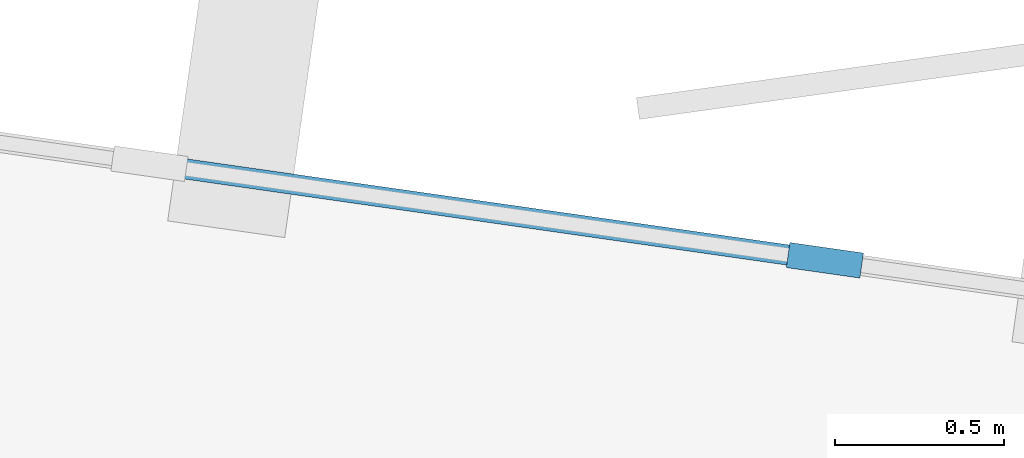
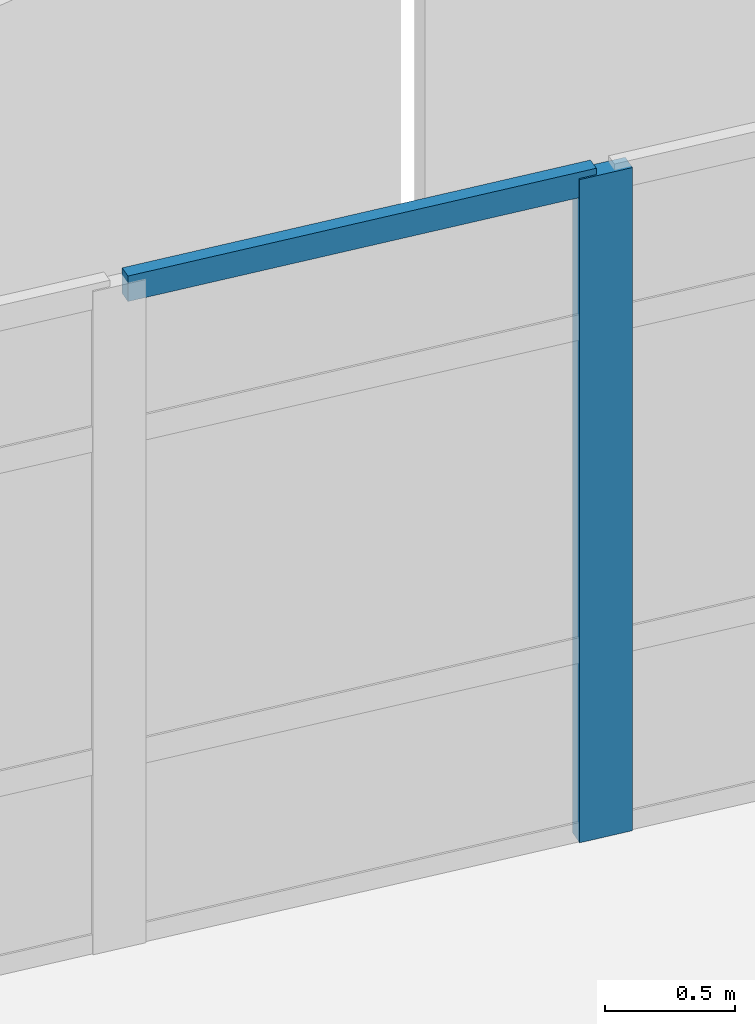
# One storey, part 53 of 87: 2 members, 1 element without a shape of its own.
"""IFC4 building model written with IfcOpenShell, lengths in metres."""

from ifc_helpers import new_model, si_unit, direction, frame, origin, origin_2d, place, context, subcontext, project, spatial, rectangle, extrude, material, layer, layer_set, material_profile, profile_set, type_object, element, aggregate, save


model = new_model("IFC4")

# Units and contexts
model_context = context("Model", 3, precision=1e-05, world=origin(), true_north=direction((0.0, 1.0)))
body_context = subcontext(model_context, "Body", "Model", "MODEL_VIEW")
ifc_project = project(units=[si_unit("LENGTHUNIT", "METRE"), si_unit("AREAUNIT", "SQUARE_METRE"), si_unit("VOLUMEUNIT", "CUBIC_METRE"), si_unit("PLANEANGLEUNIT", "RADIAN"), si_unit("MASSUNIT", "GRAM", prefix="KILO")], contexts=[model_context])

# Site, building, storey
site_placement = place(None, origin())
site = spatial("IfcSite", under=ifc_project, at=site_placement, CompositionType="ELEMENT")
building_placement = place(site_placement, origin())
building = spatial("IfcBuilding", under=site, at=building_placement, Name="Sohan Crest Arena", CompositionType="ELEMENT")
storey_placement = place(building_placement, frame((0.0, 0.0, 18.0)))
storey = spatial("IfcBuildingStorey", under=building, at=storey_placement, Name="L04", CompositionType="ELEMENT", Elevation=18.0)

# Curtain wall, members
ifc_material = material(Name="Thermally broken anodised aluminium", Category="aluminium")
ifc_layer = layer(ifc_material, 0.239990234375, Name="Thermally broken anodised aluminium")
ifc_layer_set = layer_set([ifc_layer], Name="Thermally broken anodised aluminium")
curtain_wall_type = type_object("IfcCurtainWallType", Name="ARC-CW04", PredefinedType="NOTDEFINED", material=ifc_layer_set)
curtain_wall_placement = place(storey_placement, origin())
curtain_wall = element("IfcCurtainWall", 1, at=curtain_wall_placement, inside=storey, type_object=curtain_wall_type, Name="Unitised curtain wall CW-139", PredefinedType="NOTDEFINED")
ifc_material_profile_1 = material_profile(ifc_material, rectangle(XDim=0.074951171875, YDim=0.219970703125, at=origin_2d()), Name="ALU-MULL 75x220")
ifc_profile_set_1 = profile_set([ifc_material_profile_1], Name="Thermally broken anodised aluminium")
member_type_1 = type_object("IfcMemberType", Name="ARC-CW-ML04", PredefinedType="MULLION", material=ifc_profile_set_1)
member_1_placement = place(storey_placement, frame((166.0, 117.6357421875, 0.0), z_axis=(0.0, 0.0, 1.0), x_axis=(-0.141462933734, -0.989943553128, 0.0)))
member_1 = element("IfcMember", 2, at=member_1_placement, type_object=member_type_1, Name="CW-139 mullion 2", PredefinedType="MULLION", context=body_context, shape_type="SweptSolid", body=[
    extrude(rectangle(XDim=0.074951171875, YDim=0.219970703125, at=origin_2d()), origin(), (0.0, 0.0, 1.0), 3.1201171875),
])
ifc_material_profile_2 = material_profile(ifc_material, rectangle(XDim=0.06005859375, YDim=0.1201171875, at=origin_2d()), Name="ALU-TRAN 60x120")
ifc_profile_set_2 = profile_set([ifc_material_profile_2], Name="Thermally broken anodised aluminium")
member_type_2 = type_object("IfcMemberType", Name="ARC-CW-TR01", PredefinedType="USERDEFINED", material=ifc_profile_set_2)
member_2_placement = place(storey_placement, frame((165.962890625, 117.64111328125, 3.090087890625), z_axis=(-0.989946983498, 0.141438926268, 0.0), x_axis=(-0.141438926268, -0.989946983498, 0.0)))
member_2 = element("IfcMember", 3, at=member_2_placement, type_object=member_type_2, Name="CW-139 transom 2.4", ObjectType="TRANSOM", PredefinedType="USERDEFINED", context=body_context, shape_type="SweptSolid", body=[
    extrude(rectangle(XDim=0.06005859375, YDim=0.1201171875, at=origin_2d()), origin(), (0.0, 0.0, 1.0), 1.9453125),
])
aggregate(curtain_wall, [member_1, member_2])

save(model, "model.ifc")
